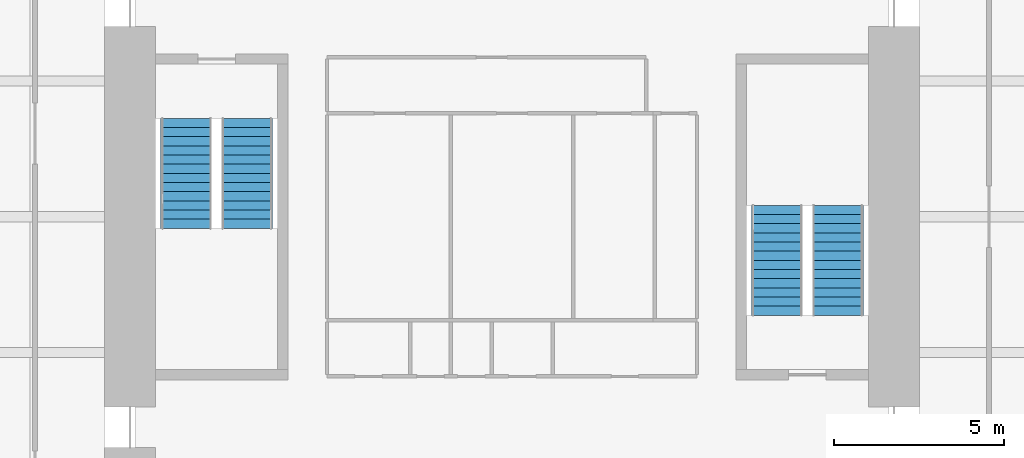
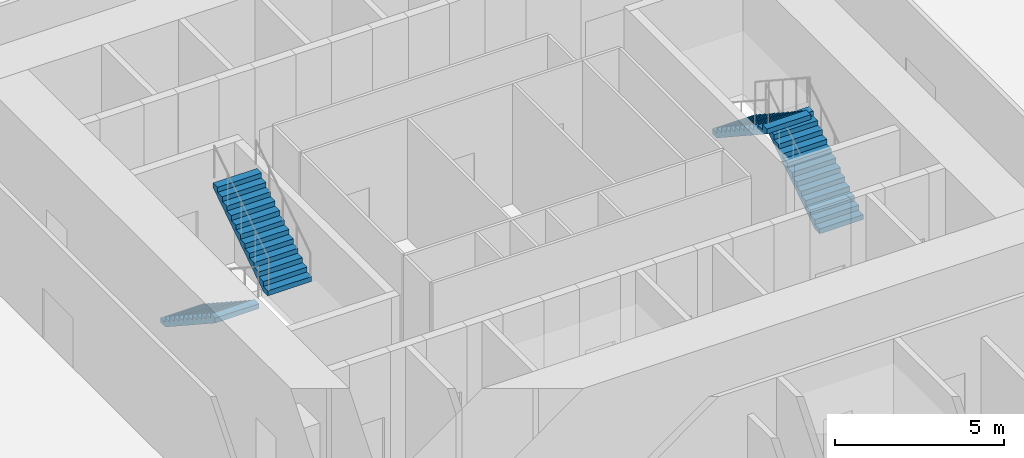
# One storey, part 8 of 9: 4 stair flights, 2 elements without a shape of their own.
"""IFC4 building model written with IfcOpenShell, lengths in metres."""

from ifc_helpers import new_model, si_unit, direction, frame, origin, place, context, subcontext, project, spatial, polyline, outline, extrude, material, type_object, element, aggregate, save


model = new_model("IFC4")

# Units and contexts
model_context = context("Model", 3, precision=1e-05, world=origin(), true_north=direction((0.0, 1.0)))
body_context = subcontext(model_context, "Body", "Model", "MODEL_VIEW")
ifc_project = project(units=[si_unit("LENGTHUNIT", "METRE"), si_unit("AREAUNIT", "SQUARE_METRE"), si_unit("VOLUMEUNIT", "CUBIC_METRE"), si_unit("PLANEANGLEUNIT", "RADIAN"), si_unit("MASSUNIT", "GRAM", prefix="KILO")], contexts=[model_context])

# Site, building, storey
site_placement = place(None, origin())
site = spatial("IfcSite", under=ifc_project, at=site_placement, CompositionType="ELEMENT")
building_placement = place(site_placement, origin())
building = spatial("IfcBuilding", under=site, at=building_placement, Name="Peilmerk Tower", CompositionType="ELEMENT")
storey_placement = place(building_placement, frame((0.0, 0.0, 99.800048828125)))
storey = spatial("IfcBuildingStorey", under=building, at=storey_placement, Name="L19", CompositionType="ELEMENT", Elevation=99.800048828125)

# Stair, stair flights
ifc_material = material(Name="Precast concrete C45/55", Category="concrete")
stair_type_1 = type_object("IfcStairType", Name="ST1 26 risers of 176.9", PredefinedType="HALF_TURN_STAIR", material=ifc_material)
stair_1_placement = place(storey_placement, origin())
stair_1 = element("IfcStair", 1, at=stair_1_placement, inside=storey, type_object=stair_type_1, Name="Stair 1 L19 to L20", PredefinedType="HALF_TURN_STAIR")
stair_flight_type = type_object("IfcStairFlightType", Name="SF13 flight, 13 risers of 176.9", PredefinedType="STRAIGHT", material=ifc_material)
stair_flight_1_placement = place(storey_placement, frame((-9.60009765625, 2.89990234375, 0.0), z_axis=(0.0, 0.0, 1.0), x_axis=(0.0, -1.0, 0.0)))
stair_flight_1 = element("IfcStairFlight", 2, at=stair_flight_1_placement, type_object=stair_flight_type, Name="ST1 flight 1", NumberOfRisers=13, NumberOfTreads=12, PredefinedType="STRAIGHT", RiserHeight=0.176923077, TreadLength=0.27, context=body_context, shape_type="SweptSolid", body=[
    extrude(outline(polyline([(0.0, 0.0), (0.0, 0.177001953125), (0.27001953125, 0.177001953125), (0.27001953125, 0.353759765625), (0.5400390625, 0.353759765625), (0.5400390625, 0.53076171875), (0.81005859375, 0.53076171875), (0.81005859375, 0.707763671875), (1.080078125, 0.707763671875), (1.080078125, 0.884521484375), (1.35009765625, 0.884521484375), (1.35009765625, 1.0615234375), (1.6201171875, 1.0615234375), (1.6201171875, 1.238525390625), (1.889892578125, 1.238525390625), (1.889892578125, 1.415283203125), (2.159912109375, 1.415283203125), (2.159912109375, 1.59228515625), (2.429931640625, 1.59228515625), (2.429931640625, 1.769287109375), (2.699951171875, 1.769287109375), (2.699951171875, 1.946044921875), (2.969970703125, 1.946044921875), (2.969970703125, 2.123046875), (3.239990234375, 2.123046875), (3.239990234375, 2.300048828125), (3.239990234375, 1.94384765625), (0.2734375, 0.0), (0.0, 0.0)])), frame((0.0, 0.75, 0.0), z_axis=(0.0, -1.0, 0.0), x_axis=(1.0, 0.0, 0.0)), (0.0, 0.0, 1.0), 1.5),
])
stair_flight_2_placement = place(storey_placement, frame((-7.800048828125, -0.340087890625, 2.300048828125), z_axis=(0.0, 0.0, 1.0), x_axis=(0.0, 1.0, 0.0)))
stair_flight_2 = element("IfcStairFlight", 3, at=stair_flight_2_placement, type_object=stair_flight_type, Name="ST1 flight 2", NumberOfRisers=13, NumberOfTreads=12, PredefinedType="STRAIGHT", RiserHeight=0.176923077, TreadLength=0.27, context=body_context, shape_type="SweptSolid", body=[
    extrude(outline(polyline([(0.0, 0.0), (0.0, 0.177001953125), (0.27001953125, 0.177001953125), (0.27001953125, 0.353759765625), (0.5400390625, 0.353759765625), (0.5400390625, 0.53076171875), (0.81005859375, 0.53076171875), (0.81005859375, 0.707763671875), (1.080078125, 0.707763671875), (1.080078125, 0.884521484375), (1.35009765625, 0.884521484375), (1.35009765625, 1.0615234375), (1.6201171875, 1.0615234375), (1.6201171875, 1.238525390625), (1.889892578125, 1.238525390625), (1.889892578125, 1.415283203125), (2.159912109375, 1.415283203125), (2.159912109375, 1.59228515625), (2.429931640625, 1.59228515625), (2.429931640625, 1.769287109375), (2.699951171875, 1.769287109375), (2.699951171875, 1.946044921875), (2.969970703125, 1.946044921875), (2.969970703125, 2.123046875), (3.239990234375, 2.123046875), (3.239990234375, 2.300048828125), (3.239990234375, 1.94384765625), (0.2734375, 0.0), (0.0, 0.0)])), frame((0.0, 0.75, 0.0), z_axis=(0.0, -1.0, 0.0), x_axis=(1.0, 0.0, 0.0)), (0.0, 0.0, 1.0), 1.5),
])
aggregate(stair_1, [stair_flight_1, stair_flight_2])

stair_type_2 = type_object("IfcStairType", Name="ST2 26 risers of 176.9", PredefinedType="HALF_TURN_STAIR", material=ifc_material)
stair_2_placement = place(storey_placement, origin())
stair_2 = element("IfcStair", 4, at=stair_2_placement, inside=storey, type_object=stair_type_2, Name="Stair 2 L19 to L20", PredefinedType="HALF_TURN_STAIR")
stair_flight_3_placement = place(storey_placement, frame((9.60009765625, -2.89990234375, 0.0), z_axis=(0.0, 0.0, 1.0), x_axis=(0.0, 1.0, 0.0)))
stair_flight_3 = element("IfcStairFlight", 5, at=stair_flight_3_placement, type_object=stair_flight_type, Name="ST2 flight 1", NumberOfRisers=13, NumberOfTreads=12, PredefinedType="STRAIGHT", RiserHeight=0.176923077, TreadLength=0.27, context=body_context, shape_type="SweptSolid", body=[
    extrude(outline(polyline([(0.0, 0.0), (0.0, 0.177001953125), (0.27001953125, 0.177001953125), (0.27001953125, 0.353759765625), (0.5400390625, 0.353759765625), (0.5400390625, 0.53076171875), (0.81005859375, 0.53076171875), (0.81005859375, 0.707763671875), (1.080078125, 0.707763671875), (1.080078125, 0.884521484375), (1.35009765625, 0.884521484375), (1.35009765625, 1.0615234375), (1.6201171875, 1.0615234375), (1.6201171875, 1.238525390625), (1.889892578125, 1.238525390625), (1.889892578125, 1.415283203125), (2.159912109375, 1.415283203125), (2.159912109375, 1.59228515625), (2.429931640625, 1.59228515625), (2.429931640625, 1.769287109375), (2.699951171875, 1.769287109375), (2.699951171875, 1.946044921875), (2.969970703125, 1.946044921875), (2.969970703125, 2.123046875), (3.239990234375, 2.123046875), (3.239990234375, 2.300048828125), (3.239990234375, 1.94384765625), (0.2734375, 0.0), (0.0, 0.0)])), frame((0.0, 0.75, 0.0), z_axis=(0.0, -1.0, 0.0), x_axis=(1.0, 0.0, 0.0)), (0.0, 0.0, 1.0), 1.5),
])
stair_flight_4_placement = place(storey_placement, frame((7.800048828125, 0.340087890625, 2.300048828125), z_axis=(0.0, 0.0, 1.0), x_axis=(0.0, -1.0, 0.0)))
stair_flight_4 = element("IfcStairFlight", 6, at=stair_flight_4_placement, type_object=stair_flight_type, Name="ST2 flight 2", NumberOfRisers=13, NumberOfTreads=12, PredefinedType="STRAIGHT", RiserHeight=0.176923077, TreadLength=0.27, context=body_context, shape_type="SweptSolid", body=[
    extrude(outline(polyline([(0.0, 0.0), (0.0, 0.177001953125), (0.27001953125, 0.177001953125), (0.27001953125, 0.353759765625), (0.5400390625, 0.353759765625), (0.5400390625, 0.53076171875), (0.81005859375, 0.53076171875), (0.81005859375, 0.707763671875), (1.080078125, 0.707763671875), (1.080078125, 0.884521484375), (1.35009765625, 0.884521484375), (1.35009765625, 1.0615234375), (1.6201171875, 1.0615234375), (1.6201171875, 1.238525390625), (1.889892578125, 1.238525390625), (1.889892578125, 1.415283203125), (2.159912109375, 1.415283203125), (2.159912109375, 1.59228515625), (2.429931640625, 1.59228515625), (2.429931640625, 1.769287109375), (2.699951171875, 1.769287109375), (2.699951171875, 1.946044921875), (2.969970703125, 1.946044921875), (2.969970703125, 2.123046875), (3.239990234375, 2.123046875), (3.239990234375, 2.300048828125), (3.239990234375, 1.94384765625), (0.2734375, 0.0), (0.0, 0.0)])), frame((0.0, 0.75, 0.0), z_axis=(0.0, -1.0, 0.0), x_axis=(1.0, 0.0, 0.0)), (0.0, 0.0, 1.0), 1.5),
])
aggregate(stair_2, [stair_flight_3, stair_flight_4])

save(model, "model.ifc")
